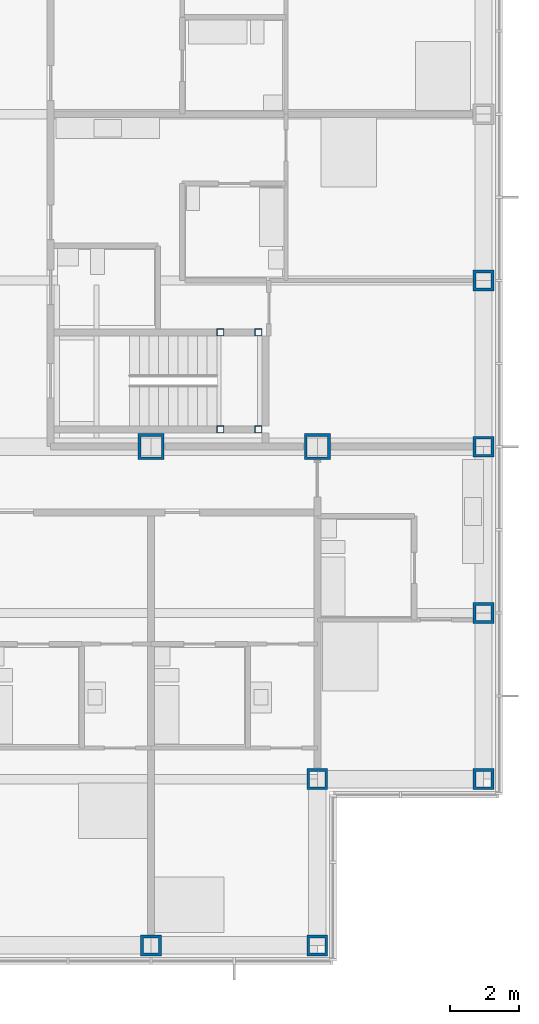
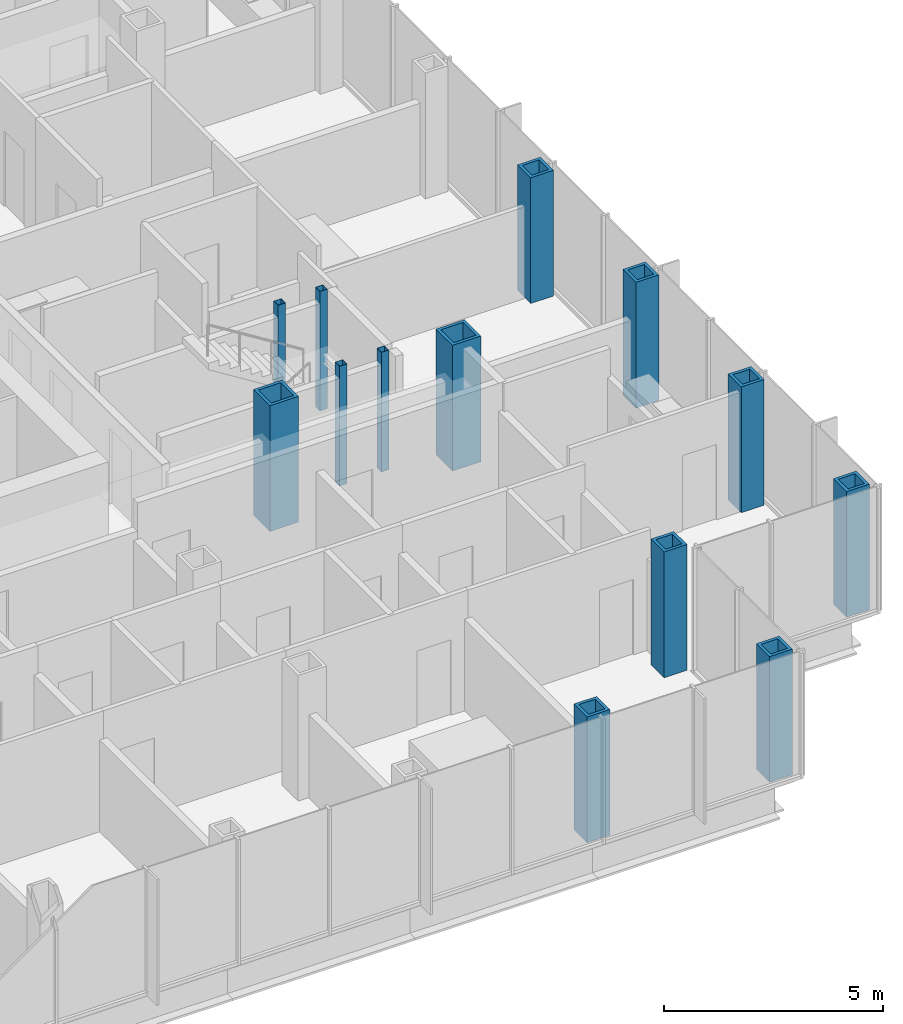
# One storey, part 4 of 22: 13 columns.
"""IFC4 building model written with IfcOpenShell, lengths in metres."""

from ifc_helpers import new_model, si_unit, direction, frame, origin, origin_2d, place, context, subcontext, project, spatial, hollow_rectangle, extrude, material, material_profile, profile_set, type_object, element, save


model = new_model("IFC4")

# Units and contexts
model_context = context("Model", 3, precision=1e-05, world=origin(), true_north=direction((0.0, 1.0)))
body_context = subcontext(model_context, "Body", "Model", "MODEL_VIEW")
ifc_project = project(units=[si_unit("LENGTHUNIT", "METRE"), si_unit("AREAUNIT", "SQUARE_METRE"), si_unit("VOLUMEUNIT", "CUBIC_METRE"), si_unit("PLANEANGLEUNIT", "RADIAN"), si_unit("MASSUNIT", "GRAM", prefix="KILO")], contexts=[model_context])

# Site, building, storey
site_placement = place(None, origin())
site = spatial("IfcSite", under=ifc_project, at=site_placement, CompositionType="ELEMENT")
building_placement = place(site_placement, origin())
building = spatial("IfcBuilding", under=site, at=building_placement, Name="Kvirike Care Tower", CompositionType="ELEMENT")
storey_placement = place(building_placement, frame((0.0, 0.0, 69.0)))
storey = spatial("IfcBuildingStorey", under=building, at=storey_placement, Name="L18", CompositionType="ELEMENT", Elevation=69.0)

# Columns
ifc_material_1 = material(Name="Steel S460", Category="steel")
ifc_material_profile_1 = material_profile(ifc_material_1, hollow_rectangle(XDim=0.60009765625, YDim=0.60009765625, WallThickness=0.080078125, at=origin_2d()), Name="BX 600x600x80")
ifc_profile_set_1 = profile_set([ifc_material_profile_1], Name="Steel S460")
column_type_1 = type_object("IfcColumnType", Name="COLUMN BX 600x600x80", PredefinedType="COLUMN", material=ifc_profile_set_1)
for number, where, z_axis, x_axis, name in (
    (1, (33.60009765625, 14.39990234375, 0.0), (0.0, 0.0, 1.0), (0.0, 1.0, 0.0), "Column D10 L18"),
    (2, (38.39990234375, 14.39990234375, 0.0), (0.0, 0.0, 1.0), (0.0, 1.0, 0.0), "Column D11 L18"),
    (3, (38.39990234375, 19.199951171875, 0.0), (0.0, 0.0, 1.0), (0.0, 1.0, 0.0), "Column E11 L18"),
    (4, (43.199951171875, 19.199951171875, 0.0), (0.0, 0.0, 1.0), (0.0, 1.0, 0.0), "Column E12 L18"),
    (5, (43.199951171875, 24.0, 0.0), (0.0, 0.0, 1.0), (1.0, 0.0, 0.0), "Column F12 L18"),
    (6, (43.199951171875, 28.800048828125, 0.0), (0.0, 0.0, 1.0), (0.0, 1.0, 0.0), "Column G12 L18"),
    (7, (43.199951171875, 33.60009765625, 0.0), (0.0, 0.0, 1.0), (1.0, 0.0, 0.0), "Column H12 L18"),
):
    element("IfcColumn", number, at=place(storey_placement, frame(where, z_axis=z_axis, x_axis=x_axis)), inside=storey, type_object=column_type_1, Name=name, PredefinedType="COLUMN", context=body_context, shape_type="SweptSolid", body=[
        extrude(hollow_rectangle(XDim=0.60009765625, YDim=0.60009765625, WallThickness=0.080078125, at=origin_2d()), origin(), (0.0, 0.0, 1.0), 3.5),
    ])
ifc_material_2 = material(Name="Steel S460", Category="steel")
ifc_material_profile_2 = material_profile(ifc_material_2, hollow_rectangle(XDim=0.75, YDim=0.75, WallThickness=0.080078125, at=origin_2d()), Name="BX 750x750x80")
ifc_profile_set_2 = profile_set([ifc_material_profile_2], Name="Steel S460")
column_type_2 = type_object("IfcColumnType", Name="COLUMN BX 750x750x80", PredefinedType="COLUMN", material=ifc_profile_set_2)
for number, where, z_axis, x_axis, name in (
    (8, (33.60009765625, 28.800048828125, 0.0), (0.0, 0.0, 1.0), (0.0, 1.0, 0.0), "Column G10 L18"),
    (9, (38.39990234375, 28.800048828125, 0.0), (0.0, 0.0, 1.0), (0.0, 1.0, 0.0), "Column G11 L18"),
):
    element("IfcColumn", number, at=place(storey_placement, frame(where, z_axis=z_axis, x_axis=x_axis)), inside=storey, type_object=column_type_2, Name=name, PredefinedType="COLUMN", context=body_context, shape_type="SweptSolid", body=[
        extrude(hollow_rectangle(XDim=0.75, YDim=0.75, WallThickness=0.080078125, at=origin_2d()), origin(), (0.0, 0.0, 1.0), 3.5),
    ])
ifc_material_3 = material(Name="Steel S460", Category="steel")
ifc_material_profile_3 = material_profile(ifc_material_3, hollow_rectangle(XDim=0.199951171875, YDim=0.199951171875, WallThickness=0.008056640625, at=origin_2d()), Name="SHS 200x200x8")
ifc_profile_set_3 = profile_set([ifc_material_profile_3], Name="Steel S460")
column_type_3 = type_object("IfcColumnType", Name="STAIR POST SHS 200x200x8", PredefinedType="COLUMN", material=ifc_profile_set_3)
for number, where, z_axis, x_axis, name in (
    (10, (36.699951171875, 29.300048828125, 0.0), (0.0, 0.0, 1.0), (1.0, 0.0, 0.0), "Stair 2 post 1 L18"),
    (11, (36.699951171875, 32.10009765625, 0.0), (0.0, 0.0, 1.0), (1.0, 0.0, 0.0), "Stair 2 post 2 L18"),
    (12, (35.60009765625, 29.300048828125, 0.0), (0.0, 0.0, 1.0), (1.0, 0.0, 0.0), "Stair 2 post 3 L18"),
    (13, (35.60009765625, 32.10009765625, 0.0), (0.0, 0.0, 1.0), (1.0, 0.0, 0.0), "Stair 2 post 4 L18"),
):
    element("IfcColumn", number, at=place(storey_placement, frame(where, z_axis=z_axis, x_axis=x_axis)), inside=storey, type_object=column_type_3, Name=name, PredefinedType="COLUMN", context=body_context, shape_type="SweptSolid", body=[
        extrude(hollow_rectangle(XDim=0.199951171875, YDim=0.199951171875, WallThickness=0.008056640625, at=origin_2d()), origin(), (0.0, 0.0, 1.0), 3.330078125),
    ])

save(model, "model.ifc")
